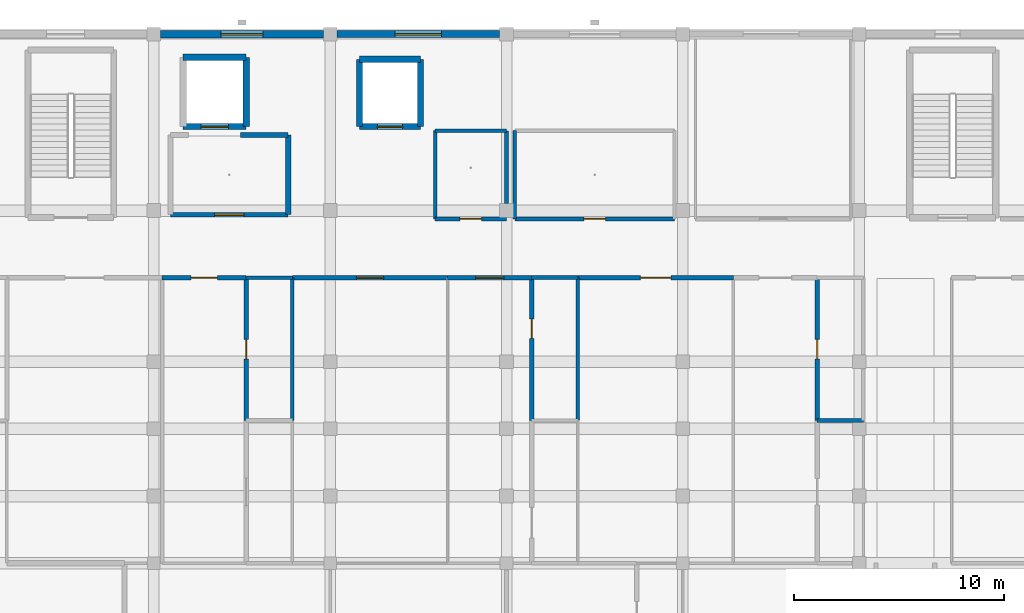
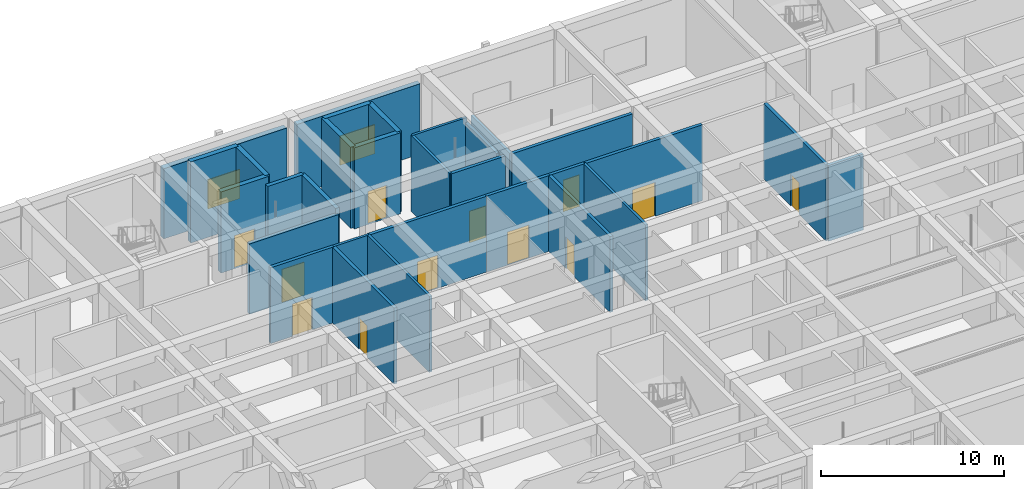
# One storey, part 94 of 157: 30 walls, 12 doors, 2 windows, 14 openings.
"""IFC4 building model written with IfcOpenShell, lengths in metres."""

from ifc_helpers import new_model, si_unit, direction, frame, frame_2d, origin, place, context, subcontext, project, spatial, rectangle, extrude, material, layer, layer_set, type_object, element, fill, save


model = new_model("IFC4")

# Units and contexts
model_context = context("Model", 3, precision=1e-05, world=origin(), true_north=direction((0.0, 1.0)))
body_context = subcontext(model_context, "Body", "Model", "MODEL_VIEW")
ifc_project = project(units=[si_unit("LENGTHUNIT", "METRE"), si_unit("AREAUNIT", "SQUARE_METRE"), si_unit("VOLUMEUNIT", "CUBIC_METRE"), si_unit("PLANEANGLEUNIT", "RADIAN"), si_unit("MASSUNIT", "GRAM", prefix="KILO")], contexts=[model_context])

# Site, building, storey
site_placement = place(None, origin())
site = spatial("IfcSite", under=ifc_project, at=site_placement, CompositionType="ELEMENT")
building_placement = place(site_placement, origin())
building = spatial("IfcBuilding", under=site, at=building_placement, Name="Varncliffe General Hospital", CompositionType="ELEMENT")
storey_placement = place(building_placement, frame((0.0, 0.0, 5.39990234375)))
storey = spatial("IfcBuildingStorey", under=building, at=storey_placement, Name="L01", CompositionType="ELEMENT", Elevation=5.39990234375)

# Wall, opening, window
ifc_material_1 = material(Name="Precast concrete C40/50 with insulated cream lime-cement stucco", Category="concrete")
ifc_layer_1 = layer(ifc_material_1, 0.330078125)
ifc_layer_set_1 = layer_set([ifc_layer_1], Name="Precast concrete C40/50 with insulated cream lime-cement stucco")
wall_type_1 = type_object("IfcWallType", Name="Exterior Insulated Stucco Wall EW33 (330mm)", PredefinedType="SOLIDWALL", material=ifc_layer_set_1)
wall_1_placement = place(storey_placement, frame((134.722900390625, 124.800048828125, 0.0), z_axis=(0.0, 0.0, 1.0), x_axis=(1.0, 0.0, 0.0)))
wall_1 = element("IfcWall", 1, at=wall_1_placement, inside=storey, type_object=wall_type_1, Name="L01 Exterior Stucco Wall EW33-131", PredefinedType="SOLIDWALL", context=body_context, shape_type="SweptSolid", body=[
    extrude(rectangle(XDim=7.754150390625, YDim=0.330078125, at=frame_2d((3.876953125, 0.0))), origin(), (0.0, 0.0, 1.0), 4.68017578125),
])
opening_1_placement = place(wall_1_placement, frame((2.777099609375, 0.0, 0.89990234375)))
opening_1 = element("IfcOpeningElement", 2, at=opening_1_placement, cuts=wall_1, Name="Opening WN35", PredefinedType="OPENING", context=body_context, shape_type="SweptSolid", body=[
    extrude(rectangle(XDim=2.199951171875, YDim=1.949951171875, at=frame_2d((1.10009765625, 0.97509765625))), frame((0.0, 0.175048828125, 0.0), z_axis=(0.0, -1.0, 0.0), x_axis=(1.0, 0.0, 0.0)), (0.0, 0.0, 1.0), 0.35009765625),
])
ifc_material_2 = material(Name="Triple low-E argon insulated vision glazing", Category="glass")
window_type_1 = type_object("IfcWindowType", Name="Triple-Glazed Hospital Window WN35 (2200x1950)", PartitioningType="DOUBLE_PANEL_VERTICAL", PredefinedType="WINDOW", material=ifc_material_2)
window_1_placement = place(opening_1_placement, origin())
window_1 = element("IfcWindow", 3, at=window_1_placement, inside=storey, type_object=window_type_1, Name="L01 Hospital Window WN35-74", OverallHeight=1.949951171875, OverallWidth=2.199951171875, PartitioningType="DOUBLE_PANEL_VERTICAL", PredefinedType="WINDOW", context=body_context, shape_type="SweptSolid", body=[
    extrude(rectangle(XDim=2.199951171875, YDim=1.949951171875, at=frame_2d((1.10009765625, 0.97509765625))), frame((0.0, 0.030029296875, 0.0), z_axis=(0.0, -1.0, 0.0), x_axis=(1.0, 0.0, 0.0)), (0.0, 0.0, 1.0), 0.06005859375),
])
fill(opening_1, window_1)

ifc_layer_2 = layer(ifc_material_1, 0.35009765625)
ifc_layer_set_2 = layer_set([ifc_layer_2], Name="Precast concrete C40/50 with insulated cream lime-cement stucco")
wall_type_2 = type_object("IfcWallType", Name="Exterior Insulated Stucco Wall EW37 (350mm)", PredefinedType="SOLIDWALL", material=ifc_layer_set_2)
wall_2_placement = place(storey_placement, frame((126.322998046875, 124.800048828125, 0.0), z_axis=(0.0, 0.0, 1.0), x_axis=(1.0, 0.0, 0.0)))
wall_2 = element("IfcWall", 4, at=wall_2_placement, inside=storey, type_object=wall_type_2, Name="L01 Exterior Stucco Wall EW37-130", PredefinedType="SOLIDWALL", context=body_context, shape_type="SweptSolid", body=[
    extrude(rectangle(XDim=7.75390625, YDim=0.35009765625, at=frame_2d((3.876953125, 0.0))), origin(), (0.0, 0.0, 1.0), 4.68017578125),
])
opening_2_placement = place(wall_2_placement, frame((2.876953125, 0.0, 0.89990234375)))
opening_2 = element("IfcOpeningElement", 5, at=opening_2_placement, cuts=wall_2, Name="Opening WN79", PredefinedType="OPENING", context=body_context, shape_type="SweptSolid", body=[
    extrude(rectangle(XDim=2.0, YDim=1.949951171875, at=frame_2d((1.0, 0.97509765625))), frame((0.0, 0.18505859375, 0.0), z_axis=(0.0, -1.0, 0.0), x_axis=(1.0, 0.0, 0.0)), (0.0, 0.0, 1.0), 0.3701171875),
])
window_type_2 = type_object("IfcWindowType", Name="Triple-Glazed Hospital Window WN79 (2000x1950)", PartitioningType="DOUBLE_PANEL_VERTICAL", PredefinedType="WINDOW", material=ifc_material_2)
window_2_placement = place(opening_2_placement, origin())
window_2 = element("IfcWindow", 6, at=window_2_placement, inside=storey, type_object=window_type_2, Name="L01 Hospital Window WN79-73", OverallHeight=1.949951171875, OverallWidth=2.0, PartitioningType="DOUBLE_PANEL_VERTICAL", PredefinedType="WINDOW", context=body_context, shape_type="SweptSolid", body=[
    extrude(rectangle(XDim=2.0, YDim=1.949951171875, at=frame_2d((1.0, 0.97509765625))), frame((0.0, 0.030029296875, 0.0), z_axis=(0.0, -1.0, 0.0), x_axis=(1.0, 0.0, 0.0)), (0.0, 0.0, 1.0), 0.06005859375),
])
fill(opening_2, window_2)

# Walls
ifc_material_3 = material(Name="Fire-rated gypsum and mineral-wool partition assembly", Category="gypsum")
ifc_layer_3 = layer(ifc_material_3, 0.25)
ifc_layer_set_3 = layer_set([ifc_layer_3], Name="Fire-rated gypsum and mineral-wool partition assembly")
wall_type_3 = type_object("IfcWallType", Name="Interior Partitioning PW38 (250mm)", PredefinedType="PARTITIONING", material=ifc_layer_set_3)
wall_3_placement = place(storey_placement, frame((130.135986328125, 120.0, 0.0), z_axis=(0.0, 0.0, 1.0), x_axis=(1.0, 0.0, 0.0)))
element("IfcWall", 7, at=wall_3_placement, inside=storey, type_object=wall_type_3, Name="L01 Interior Partition Wall PW38-661", PredefinedType="PARTITIONING", context=body_context, shape_type="SweptSolid", body=[
    extrude(rectangle(XDim=2.263916015625, YDim=0.25, at=frame_2d((1.1318359375, 0.0))), origin(), (0.0, 0.0, 1.0), 5.050048828125),
])
wall_4_placement = place(storey_placement, frame((132.39990234375, 116.199951171875, 0.0), z_axis=(0.0, 0.0, 1.0), x_axis=(0.0, 1.0, 0.0)))
element("IfcWall", 8, at=wall_4_placement, inside=storey, type_object=wall_type_3, Name="L01 Interior Partition Wall PW38-817", PredefinedType="PARTITIONING", context=body_context, shape_type="SweptSolid", body=[
    extrude(rectangle(XDim=3.800048828125, YDim=0.25, at=frame_2d((1.89990234375, 0.0))), origin(), (0.0, 0.0, 1.0), 5.050048828125),
])

# Wall, opening, door
ifc_layer_4 = layer(ifc_material_3, 0.22998046875)
ifc_layer_set_4 = layer_set([ifc_layer_4], Name="Fire-rated gypsum and mineral-wool partition assembly")
wall_type_4 = type_object("IfcWallType", Name="Interior Partitioning PW48 (230mm)", PredefinedType="PARTITIONING", material=ifc_layer_set_4)
wall_5_placement = place(storey_placement, frame((126.800048828125, 116.199951171875, 0.0), z_axis=(0.0, 0.0, 1.0), x_axis=(1.0, 0.0, 0.0)))
wall_5 = element("IfcWall", 9, at=wall_5_placement, inside=storey, type_object=wall_type_4, Name="L01 Interior Partition Wall PW48-656", PredefinedType="PARTITIONING", context=body_context, shape_type="SweptSolid", body=[
    extrude(rectangle(XDim=5.599853515625, YDim=0.22998046875, at=frame_2d((2.7998046875, 0.0))), origin(), (0.0, 0.0, 1.0), 4.68505859375),
])
opening_3_placement = place(wall_5_placement, frame((2.10009765625, 0.0, 0.0)))
opening_3 = element("IfcOpeningElement", 10, at=opening_3_placement, cuts=wall_5, Name="Opening DF81", PredefinedType="OPENING", context=body_context, shape_type="SweptSolid", body=[
    extrude(rectangle(XDim=1.39990234375, YDim=2.199951171875, at=frame_2d((0.699951171875, 1.10009765625))), frame((0.0, 0.125, 0.0), z_axis=(0.0, -1.0, 0.0), x_axis=(1.0, 0.0, 0.0)), (0.0, 0.0, 1.0), 0.25),
])
ifc_material_4 = material(Name="Fire-rated hospital steel-frame vision-panel door", Category="steel")
door_type_1 = type_object("IfcDoorType", Name="Interior Hospital Door DF81 (1400x2200)", OperationType="NOTDEFINED", PredefinedType="DOOR", material=ifc_material_4)
door_1_placement = place(opening_3_placement, origin())
door_1 = element("IfcDoor", 11, at=door_1_placement, inside=storey, type_object=door_type_1, Name="L01 Firefighting Lift Lobby LF03 Door", OperationType="SINGLE_SWING_LEFT", OverallHeight=2.199951171875, OverallWidth=1.39990234375, PredefinedType="DOOR", context=body_context, shape_type="SweptSolid", body=[
    extrude(rectangle(XDim=1.39990234375, YDim=2.199951171875, at=frame_2d((0.699951171875, 1.10009765625))), frame((0.0, 0.02490234375, 0.0), z_axis=(0.0, -1.0, 0.0), x_axis=(1.0, 0.0, 0.0)), (0.0, 0.0, 1.0), 0.050048828125),
])
fill(opening_3, door_1)

ifc_layer_5 = layer(ifc_material_3, 0.199951171875)
ifc_layer_set_5 = layer_set([ifc_layer_5], Name="Fire-rated gypsum and mineral-wool partition assembly")
wall_type_5 = type_object("IfcWallType", Name="Interior Partitioning PW63 (200mm)", PredefinedType="PARTITIONING", material=ifc_layer_set_5)
wall_6_placement = place(storey_placement, frame((126.39990234375, 113.199951171875, 0.0), z_axis=(0.0, 0.0, 1.0), x_axis=(1.0, 0.0, 0.0)))
wall_6 = element("IfcWall", 12, at=wall_6_placement, inside=storey, type_object=wall_type_5, Name="L01 Interior Partition Wall PW63-630", PredefinedType="PARTITIONING", context=body_context, shape_type="SweptSolid", body=[
    extrude(rectangle(XDim=4.0, YDim=0.199951171875, at=frame_2d((2.0, 0.0))), origin(), (0.0, 0.0, 1.0), 5.050048828125),
])
opening_4_placement = place(wall_6_placement, frame((1.375, 0.0, 0.0)))
opening_4 = element("IfcOpeningElement", 13, at=opening_4_placement, cuts=wall_6, Name="Opening DC44", PredefinedType="OPENING", context=body_context, shape_type="SweptSolid", body=[
    extrude(rectangle(XDim=1.25, YDim=2.14990234375, at=frame_2d((0.625, 1.074951171875))), frame((0.0, 0.10986328125, 0.0), z_axis=(0.0, -1.0, 0.0), x_axis=(1.0, 0.0, 0.0)), (0.0, 0.0, 1.0), 0.219970703125),
])
door_type_2 = type_object("IfcDoorType", Name="Interior Hospital Door DC44 (1250x2150)", OperationType="NOTDEFINED", PredefinedType="DOOR", material=ifc_material_4)
door_2_placement = place(opening_4_placement, frame((1.25, 0.0, 0.0), z_axis=(0.0, 0.0, 1.0), x_axis=(-1.0, 0.0, 0.0)))
door_2 = element("IfcDoor", 14, at=door_2_placement, inside=storey, type_object=door_type_2, Name="L01 General Medical Inpatient Room 153 Door", OperationType="SINGLE_SWING_RIGHT", OverallHeight=2.14990234375, OverallWidth=1.25, PredefinedType="DOOR", context=body_context, shape_type="SweptSolid", body=[
    extrude(rectangle(XDim=1.25, YDim=2.14990234375, at=frame_2d((0.625, 1.074951171875))), frame((0.0, 0.02490234375, 0.0), z_axis=(0.0, -1.0, 0.0), x_axis=(1.0, 0.0, 0.0)), (0.0, 0.0, 1.0), 0.050048828125),
])
fill(opening_4, door_2)

wall_7_placement = place(storey_placement, frame((132.60009765625, 113.199951171875, 0.0), z_axis=(0.0, 0.0, 1.0), x_axis=(1.0, 0.0, 0.0)))
wall_7 = element("IfcWall", 15, at=wall_7_placement, inside=storey, type_object=wall_type_5, Name="L01 Interior Partition Wall PW63-632", PredefinedType="PARTITIONING", context=body_context, shape_type="SweptSolid", body=[
    extrude(rectangle(XDim=7.39990234375, YDim=0.199951171875, at=frame_2d((3.699951171875, 0.0))), origin(), (0.0, 0.0, 1.0), 5.050048828125),
])
opening_5_placement = place(wall_7_placement, frame((3.050048828125, 0.0, 0.0)))
opening_5 = element("IfcOpeningElement", 16, at=opening_5_placement, cuts=wall_7, Name="Opening DC88", PredefinedType="OPENING", context=body_context, shape_type="SweptSolid", body=[
    extrude(rectangle(XDim=1.300048828125, YDim=2.199951171875, at=frame_2d((0.64990234375, 1.10009765625))), frame((0.0, 0.10986328125, 0.0), z_axis=(0.0, -1.0, 0.0), x_axis=(1.0, 0.0, 0.0)), (0.0, 0.0, 1.0), 0.219970703125),
])
door_type_3 = type_object("IfcDoorType", Name="Interior Hospital Door DC88 (1300x2200)", OperationType="NOTDEFINED", PredefinedType="DOOR", material=ifc_material_4)
door_3_placement = place(opening_5_placement, frame((1.300048828125, 0.0, 0.0), z_axis=(0.0, 0.0, 1.0), x_axis=(-1.0, 0.0, 0.0)))
door_3 = element("IfcDoor", 17, at=door_3_placement, inside=storey, type_object=door_type_3, Name="L01 Ward Nurse Station and Medication Room 156 Door", OperationType="SINGLE_SWING_LEFT", OverallHeight=2.199951171875, OverallWidth=1.300048828125, PredefinedType="DOOR", context=body_context, shape_type="SweptSolid", body=[
    extrude(rectangle(XDim=1.300048828125, YDim=2.199951171875, at=frame_2d((0.64990234375, 1.10009765625))), frame((0.0, 0.02490234375, 0.0), z_axis=(0.0, -1.0, 0.0), x_axis=(1.0, 0.0, 0.0)), (0.0, 0.0, 1.0), 0.050048828125),
])
fill(opening_5, door_3)

wall_8_placement = place(storey_placement, frame((140.0, 113.199951171875, 0.0), z_axis=(0.0, 0.0, 1.0), x_axis=(1.0, 0.0, 0.0)))
wall_8 = element("IfcWall", 18, at=wall_8_placement, inside=storey, type_object=wall_type_5, Name="L01 Interior Partition Wall PW63-633", PredefinedType="PARTITIONING", context=body_context, shape_type="SweptSolid", body=[
    extrude(rectangle(XDim=4.0, YDim=0.199951171875, at=frame_2d((2.0, 0.0))), origin(), (0.0, 0.0, 1.0), 5.050048828125),
])
opening_6_placement = place(wall_8_placement, frame((1.324951171875, 0.0, 0.0)))
opening_6 = element("IfcOpeningElement", 19, at=opening_6_placement, cuts=wall_8, Name="Opening DC85", PredefinedType="OPENING", context=body_context, shape_type="SweptSolid", body=[
    extrude(rectangle(XDim=1.35009765625, YDim=2.199951171875, at=frame_2d((0.675048828125, 1.10009765625))), frame((0.0, 0.10986328125, 0.0), z_axis=(0.0, -1.0, 0.0), x_axis=(1.0, 0.0, 0.0)), (0.0, 0.0, 1.0), 0.219970703125),
])
door_type_4 = type_object("IfcDoorType", Name="Interior Hospital Door DC85 (1350x2200)", OperationType="NOTDEFINED", PredefinedType="DOOR", material=ifc_material_4)
door_4_placement = place(opening_6_placement, frame((1.35009765625, 0.0, 0.0), z_axis=(0.0, 0.0, 1.0), x_axis=(-1.0, 0.0, 0.0)))
door_4 = element("IfcDoor", 20, at=door_4_placement, inside=storey, type_object=door_type_4, Name="L01 General Medical Inpatient Room 157 Door", OperationType="SINGLE_SWING_RIGHT", OverallHeight=2.199951171875, OverallWidth=1.35009765625, PredefinedType="DOOR", context=body_context, shape_type="SweptSolid", body=[
    extrude(rectangle(XDim=1.35009765625, YDim=2.199951171875, at=frame_2d((0.675048828125, 1.10009765625))), frame((0.0, 0.02490234375, 0.0), z_axis=(0.0, -1.0, 0.0), x_axis=(1.0, 0.0, 0.0)), (0.0, 0.0, 1.0), 0.050048828125),
])
fill(opening_6, door_4)

wall_9_placement = place(storey_placement, frame((146.199951171875, 113.199951171875, 0.0), z_axis=(0.0, 0.0, 1.0), x_axis=(1.0, 0.0, 0.0)))
wall_9 = element("IfcWall", 21, at=wall_9_placement, inside=storey, type_object=wall_type_5, Name="L01 Interior Partition Wall PW63-635", PredefinedType="PARTITIONING", context=body_context, shape_type="SweptSolid", body=[
    extrude(rectangle(XDim=7.400146484375, YDim=0.199951171875, at=frame_2d((3.7001953125, 0.0))), origin(), (0.0, 0.0, 1.0), 5.050048828125),
])
opening_7_placement = place(wall_9_placement, frame((2.97509765625, 0.0, 0.0)))
opening_7 = element("IfcOpeningElement", 22, at=opening_7_placement, cuts=wall_9, Name="Opening DC66", PredefinedType="OPENING", context=body_context, shape_type="SweptSolid", body=[
    extrude(rectangle(XDim=1.449951171875, YDim=2.25, at=frame_2d((0.72509765625, 1.125))), frame((0.0, 0.10986328125, 0.0), z_axis=(0.0, -1.0, 0.0), x_axis=(1.0, 0.0, 0.0)), (0.0, 0.0, 1.0), 0.219970703125),
])
door_type_5 = type_object("IfcDoorType", Name="Interior Hospital Door DC66 (1450x2250)", OperationType="NOTDEFINED", PredefinedType="DOOR", material=ifc_material_4)
door_5_placement = place(opening_7_placement, frame((1.449951171875, 0.0, 0.0), z_axis=(0.0, 0.0, 1.0), x_axis=(-1.0, 0.0, 0.0)))
door_5 = element("IfcDoor", 23, at=door_5_placement, inside=storey, type_object=door_type_5, Name="L01 Ward Nurse Station and Medication Room 160 Door", OperationType="SINGLE_SWING_LEFT", OverallHeight=2.25, OverallWidth=1.449951171875, PredefinedType="DOOR", context=body_context, shape_type="SweptSolid", body=[
    extrude(rectangle(XDim=1.449951171875, YDim=2.25, at=frame_2d((0.72509765625, 1.125))), frame((0.0, 0.02490234375, 0.0), z_axis=(0.0, -1.0, 0.0), x_axis=(1.0, 0.0, 0.0)), (0.0, 0.0, 1.0), 0.050048828125),
])
fill(opening_7, door_5)

wall_10_placement = place(storey_placement, frame((139.39990234375, 116.0, 0.0), z_axis=(0.0, 0.0, 1.0), x_axis=(1.0, 0.0, 0.0)))
wall_10 = element("IfcWall", 24, at=wall_10_placement, inside=storey, type_object=wall_type_5, Name="L01 Interior Partition Wall PW63-650", PredefinedType="PARTITIONING", context=body_context, shape_type="SweptSolid", body=[
    extrude(rectangle(XDim=3.400146484375, YDim=0.199951171875, at=frame_2d((1.7001953125, 0.0))), origin(), (0.0, 0.0, 1.0), 5.050048828125),
])
opening_8_placement = place(wall_10_placement, frame((1.179931640625, 0.0, 0.0)))
opening_8 = element("IfcOpeningElement", 25, at=opening_8_placement, cuts=wall_10, Name="Opening DI77", PredefinedType="OPENING", context=body_context, shape_type="SweptSolid", body=[
    extrude(rectangle(XDim=1.0400390625, YDim=2.10009765625, at=frame_2d((0.52001953125, 1.050048828125))), frame((0.0, 0.10986328125, 0.0), z_axis=(0.0, -1.0, 0.0), x_axis=(1.0, 0.0, 0.0)), (0.0, 0.0, 1.0), 0.219970703125),
])
ifc_material_5 = material(Name="Solid-core antimicrobial hospital oak veneer door", Category="wood")
door_type_6 = type_object("IfcDoorType", Name="Interior Hospital Door DI77 (1040x2100)", OperationType="NOTDEFINED", PredefinedType="DOOR", material=ifc_material_5)
door_6_placement = place(opening_8_placement, origin())
door_6 = element("IfcDoor", 26, at=door_6_placement, inside=storey, type_object=door_type_6, Name="L01 Accessible WC L01-NE Door", OperationType="SINGLE_SWING_LEFT", OverallHeight=2.10009765625, OverallWidth=1.0400390625, PredefinedType="DOOR", context=body_context, shape_type="SweptSolid", body=[
    extrude(rectangle(XDim=1.0400390625, YDim=2.10009765625, at=frame_2d((0.52001953125, 1.050048828125))), frame((0.0, 0.02490234375, 0.0), z_axis=(0.0, -1.0, 0.0), x_axis=(1.0, 0.0, 0.0)), (0.0, 0.0, 1.0), 0.050048828125),
])
fill(opening_8, door_6)

wall_11_placement = place(storey_placement, frame((143.199951171875, 116.0, 0.0), z_axis=(0.0, 0.0, 1.0), x_axis=(1.0, 0.0, 0.0)))
wall_11 = element("IfcWall", 27, at=wall_11_placement, inside=storey, type_object=wall_type_5, Name="L01 Interior Partition Wall PW63-651", PredefinedType="PARTITIONING", context=body_context, shape_type="SweptSolid", body=[
    extrude(rectangle(XDim=7.60009765625, YDim=0.199951171875, at=frame_2d((3.800048828125, 0.0))), origin(), (0.0, 0.0, 1.0), 5.050048828125),
])
opening_9_placement = place(wall_11_placement, frame((3.280029296875, 0.0, 0.0)))
opening_9 = element("IfcOpeningElement", 28, at=opening_9_placement, cuts=wall_11, Name="Opening DI77", PredefinedType="OPENING", context=body_context, shape_type="SweptSolid", body=[
    extrude(rectangle(XDim=1.0400390625, YDim=2.10009765625, at=frame_2d((0.52001953125, 1.050048828125))), frame((0.0, 0.10986328125, 0.0), z_axis=(0.0, -1.0, 0.0), x_axis=(1.0, 0.0, 0.0)), (0.0, 0.0, 1.0), 0.219970703125),
])
door_7_placement = place(opening_9_placement, origin())
door_7 = element("IfcDoor", 29, at=door_7_placement, inside=storey, type_object=door_type_6, Name="L01 Staff and Visitor WC L01-NE Door", OperationType="SINGLE_SWING_RIGHT", OverallHeight=2.10009765625, OverallWidth=1.0400390625, PredefinedType="DOOR", context=body_context, shape_type="SweptSolid", body=[
    extrude(rectangle(XDim=1.0400390625, YDim=2.10009765625, at=frame_2d((0.52001953125, 1.050048828125))), frame((0.0, 0.02490234375, 0.0), z_axis=(0.0, -1.0, 0.0), x_axis=(1.0, 0.0, 0.0)), (0.0, 0.0, 1.0), 0.050048828125),
])
fill(opening_9, door_7)

wall_12_placement = place(storey_placement, frame((130.39990234375, 106.39990234375, 0.0), z_axis=(0.0, 0.0, 1.0), x_axis=(0.0, 1.0, 0.0)))
wall_12 = element("IfcWall", 30, at=wall_12_placement, inside=storey, type_object=wall_type_5, Name="L01 Interior Partition Wall PW63-816", PredefinedType="PARTITIONING", context=body_context, shape_type="SweptSolid", body=[
    extrude(rectangle(XDim=6.800048828125, YDim=0.199951171875, at=frame_2d((3.39990234375, 0.0))), origin(), (0.0, 0.0, 1.0), 5.050048828125),
])
opening_10_placement = place(wall_12_placement, frame((2.93994140625, 0.0, 0.0)))
opening_10 = element("IfcOpeningElement", 31, at=opening_10_placement, cuts=wall_12, Name="Opening DI70", PredefinedType="OPENING", context=body_context, shape_type="SweptSolid", body=[
    extrude(rectangle(XDim=0.919921875, YDim=2.10009765625, at=frame_2d((0.4599609375, 1.050048828125))), frame((0.0, 0.10986328125, 0.0), z_axis=(0.0, -1.0, 0.0), x_axis=(1.0, 0.0, 0.0)), (0.0, 0.0, 1.0), 0.219970703125),
])
door_type_7 = type_object("IfcDoorType", Name="Interior Hospital Door DI70 (920x2100)", OperationType="NOTDEFINED", PredefinedType="DOOR", material=ifc_material_5)
door_8_placement = place(opening_10_placement, frame((0.919921875, 0.0, 0.0), z_axis=(0.0, 0.0, 1.0), x_axis=(-1.0, 0.0, 0.0)))
door_8 = element("IfcDoor", 32, at=door_8_placement, inside=storey, type_object=door_type_7, Name="L01 En-Suite Bathroom 154 Door", OperationType="SINGLE_SWING_LEFT", OverallHeight=2.10009765625, OverallWidth=0.919921875, PredefinedType="DOOR", context=body_context, shape_type="SweptSolid", body=[
    extrude(rectangle(XDim=0.919921875, YDim=2.10009765625, at=frame_2d((0.4599609375, 1.050048828125))), frame((0.0, 0.02490234375, 0.0), z_axis=(0.0, -1.0, 0.0), x_axis=(1.0, 0.0, 0.0)), (0.0, 0.0, 1.0), 0.050048828125),
])
fill(opening_10, door_8)

wall_13_placement = place(storey_placement, frame((144.0, 106.39990234375, 0.0), z_axis=(0.0, 0.0, 1.0), x_axis=(0.0, 1.0, 0.0)))
wall_13 = element("IfcWall", 33, at=wall_13_placement, inside=storey, type_object=wall_type_5, Name="L01 Interior Partition Wall PW63-835", PredefinedType="PARTITIONING", context=body_context, shape_type="SweptSolid", body=[
    extrude(rectangle(XDim=6.800048828125, YDim=0.199951171875, at=frame_2d((3.39990234375, 0.0))), origin(), (0.0, 0.0, 1.0), 5.050048828125),
])
opening_11_placement = place(wall_13_placement, frame((3.912109375, 0.0, 0.0)))
opening_11 = element("IfcOpeningElement", 34, at=opening_11_placement, cuts=wall_13, Name="Opening DI70", PredefinedType="OPENING", context=body_context, shape_type="SweptSolid", body=[
    extrude(rectangle(XDim=0.919921875, YDim=2.10009765625, at=frame_2d((0.4599609375, 1.050048828125))), frame((0.0, 0.10986328125, 0.0), z_axis=(0.0, -1.0, 0.0), x_axis=(1.0, 0.0, 0.0)), (0.0, 0.0, 1.0), 0.219970703125),
])
door_9_placement = place(opening_11_placement, frame((0.919921875, 0.0, 0.0), z_axis=(0.0, 0.0, 1.0), x_axis=(-1.0, 0.0, 0.0)))
door_9 = element("IfcDoor", 35, at=door_9_placement, inside=storey, type_object=door_type_7, Name="L01 En-Suite Bathroom 158 Door", OperationType="SINGLE_SWING_LEFT", OverallHeight=2.10009765625, OverallWidth=0.919921875, PredefinedType="DOOR", context=body_context, shape_type="SweptSolid", body=[
    extrude(rectangle(XDim=0.919921875, YDim=2.10009765625, at=frame_2d((0.4599609375, 1.050048828125))), frame((0.0, 0.02490234375, 0.0), z_axis=(0.0, -1.0, 0.0), x_axis=(1.0, 0.0, 0.0)), (0.0, 0.0, 1.0), 0.050048828125),
])
fill(opening_11, door_9)

wall_14_placement = place(storey_placement, frame((157.60009765625, 106.39990234375, 0.0), z_axis=(0.0, 0.0, 1.0), x_axis=(0.0, 1.0, 0.0)))
wall_14 = element("IfcWall", 36, at=wall_14_placement, inside=storey, type_object=wall_type_5, Name="L01 Interior Partition Wall PW63-855", PredefinedType="PARTITIONING", context=body_context, shape_type="SweptSolid", body=[
    extrude(rectangle(XDim=6.800048828125, YDim=0.199951171875, at=frame_2d((3.39990234375, 0.0))), origin(), (0.0, 0.0, 1.0), 5.050048828125),
])
opening_12_placement = place(wall_14_placement, frame((2.93994140625, 0.0, 0.0)))
opening_12 = element("IfcOpeningElement", 37, at=opening_12_placement, cuts=wall_14, Name="Opening DI70", PredefinedType="OPENING", context=body_context, shape_type="SweptSolid", body=[
    extrude(rectangle(XDim=0.919921875, YDim=2.10009765625, at=frame_2d((0.4599609375, 1.050048828125))), frame((0.0, 0.10986328125, 0.0), z_axis=(0.0, -1.0, 0.0), x_axis=(1.0, 0.0, 0.0)), (0.0, 0.0, 1.0), 0.219970703125),
])
door_10_placement = place(opening_12_placement, frame((0.919921875, 0.0, 0.0), z_axis=(0.0, 0.0, 1.0), x_axis=(-1.0, 0.0, 0.0)))
door_10 = element("IfcDoor", 38, at=door_10_placement, inside=storey, type_object=door_type_7, Name="L01 En-Suite Bathroom 162 Door", OperationType="SINGLE_SWING_LEFT", OverallHeight=2.10009765625, OverallWidth=0.919921875, PredefinedType="DOOR", context=body_context, shape_type="SweptSolid", body=[
    extrude(rectangle(XDim=0.919921875, YDim=2.10009765625, at=frame_2d((0.4599609375, 1.050048828125))), frame((0.0, 0.02490234375, 0.0), z_axis=(0.0, -1.0, 0.0), x_axis=(1.0, 0.0, 0.0)), (0.0, 0.0, 1.0), 0.050048828125),
])
fill(opening_12, door_10)

# Walls
ifc_material_6 = material(Name="Moisture-resistant plumbing chase wall assembly", Category="gypsum")
ifc_layer_6 = layer(ifc_material_6, 0.18994140625)
ifc_layer_set_6 = layer_set([ifc_layer_6], Name="Moisture-resistant plumbing chase wall assembly")
wall_type_6 = type_object("IfcWallType", Name="Interior Plumbingwall MW17 (190mm)", PredefinedType="PLUMBINGWALL", material=ifc_layer_set_6)
for number, where, z_axis, x_axis, name in (
    (39, (157.60009765625, 106.39990234375, 0.0), (0.0, 0.0, 1.0), (1.0, 0.0, 0.0), "L01 Interior Plumbing Wall MW17-612"),
    (40, (144.0, 113.199951171875, 0.0), (0.0, 0.0, 1.0), (1.0, 0.0, 0.0), "L01 Interior Plumbing Wall MW17-634"),
):
    element("IfcWall", number, at=place(storey_placement, frame(where, z_axis=z_axis, x_axis=x_axis)), inside=storey, type_object=wall_type_6, Name=name, PredefinedType="PLUMBINGWALL", context=body_context, shape_type="SweptSolid", body=[
        extrude(rectangle(XDim=2.199951171875, YDim=0.18994140625, at=frame_2d((1.10009765625, 0.0))), origin(), (0.0, 0.0, 1.0), 5.050048828125),
    ])
wall_15_placement = place(storey_placement, frame((142.800048828125, 116.739990234375, 0.0), z_axis=(0.0, 0.0, 1.0), x_axis=(0.0, 1.0, 0.0)))
element("IfcWall", 41, at=wall_15_placement, inside=storey, type_object=wall_type_6, Name="L01 Interior Plumbing Wall MW17-832", PredefinedType="PLUMBINGWALL", context=body_context, shape_type="SweptSolid", body=[
    extrude(rectangle(XDim=3.4599609375, YDim=0.18994140625, at=frame_2d((1.72998046875, 0.0))), origin(), (0.0, 0.0, 1.0), 4.735107421875),
])
ifc_layer_7 = layer(ifc_material_6, 0.159912109375)
ifc_layer_set_7 = layer_set([ifc_layer_7], Name="Moisture-resistant plumbing chase wall assembly")
wall_type_7 = type_object("IfcWallType", Name="Interior Plumbingwall MW31 (160mm)", PredefinedType="PLUMBINGWALL", material=ifc_layer_set_7)
wall_16_placement = place(storey_placement, frame((130.39990234375, 113.199951171875, 0.0), z_axis=(0.0, 0.0, 1.0), x_axis=(1.0, 0.0, 0.0)))
element("IfcWall", 42, at=wall_16_placement, inside=storey, type_object=wall_type_7, Name="L01 Interior Plumbing Wall MW31-631", PredefinedType="PLUMBINGWALL", context=body_context, shape_type="SweptSolid", body=[
    extrude(rectangle(XDim=2.2001953125, YDim=0.159912109375, at=frame_2d((1.10009765625, 0.0))), origin(), (0.0, 0.0, 1.0), 5.050048828125),
])
wall_17_placement = place(storey_placement, frame((139.39990234375, 120.199951171875, 0.0), z_axis=(0.0, 0.0, 1.0), x_axis=(1.0, 0.0, 0.0)))
element("IfcWall", 43, at=wall_17_placement, inside=storey, type_object=wall_type_7, Name="L01 Interior Plumbing Wall MW31-665", PredefinedType="PLUMBINGWALL", context=body_context, shape_type="SweptSolid", body=[
    extrude(rectangle(XDim=3.400146484375, YDim=0.159912109375, at=frame_2d((1.7001953125, 0.0))), origin(), (0.0, 0.0, 1.0), 5.050048828125),
])
wall_18_placement = place(storey_placement, frame((132.60009765625, 106.39990234375, 0.0), z_axis=(0.0, 0.0, 1.0), x_axis=(0.0, 1.0, 0.0)))
element("IfcWall", 44, at=wall_18_placement, inside=storey, type_object=wall_type_7, Name="L01 Interior Plumbing Wall MW31-819", PredefinedType="PLUMBINGWALL", context=body_context, shape_type="SweptSolid", body=[
    extrude(rectangle(XDim=6.800048828125, YDim=0.159912109375, at=frame_2d((3.39990234375, 0.0))), origin(), (0.0, 0.0, 1.0), 5.050048828125),
])
for number, where, z_axis, x_axis, name in (
    (45, (139.39990234375, 116.0, 0.0), (0.0, 0.0, 1.0), (0.0, 1.0, 0.0), "L01 Interior Plumbing Wall MW31-825"),
    (46, (143.199951171875, 116.0, 0.0), (0.0, 0.0, 1.0), (0.0, 1.0, 0.0), "L01 Interior Plumbing Wall MW31-833"),
):
    element("IfcWall", number, at=place(storey_placement, frame(where, z_axis=z_axis, x_axis=x_axis)), inside=storey, type_object=wall_type_7, Name=name, PredefinedType="PLUMBINGWALL", context=body_context, shape_type="SweptSolid", body=[
        extrude(rectangle(XDim=4.199951171875, YDim=0.159912109375, at=frame_2d((2.10009765625, 0.0))), origin(), (0.0, 0.0, 1.0), 5.050048828125),
    ])
wall_19_placement = place(storey_placement, frame((146.199951171875, 106.39990234375, 0.0), z_axis=(0.0, 0.0, 1.0), x_axis=(0.0, 1.0, 0.0)))
element("IfcWall", 47, at=wall_19_placement, inside=storey, type_object=wall_type_7, Name="L01 Interior Plumbing Wall MW31-837", PredefinedType="PLUMBINGWALL", context=body_context, shape_type="SweptSolid", body=[
    extrude(rectangle(XDim=6.800048828125, YDim=0.159912109375, at=frame_2d((3.39990234375, 0.0))), origin(), (0.0, 0.0, 1.0), 5.050048828125),
])

# Wall, opening, door
ifc_material_7 = material(Name="Concrete C40/50 (CSA A23.1 40 MPa)", Category="concrete")
ifc_layer_8 = layer(ifc_material_7, 0.300048828125)
ifc_layer_set_8 = layer_set([ifc_layer_8], Name="Concrete C40/50 (CSA A23.1 40 MPa)")
wall_type_8 = type_object("IfcWallType", Name="Reinforced Concrete Core Shear Wall CW12 (300mm)", PredefinedType="SHEAR", material=ifc_layer_set_8)
wall_20_placement = place(storey_placement, frame((127.39990234375, 120.39990234375, 0.0), z_axis=(0.0, 0.0, 1.0), x_axis=(1.0, 0.0, 0.0)))
wall_20 = element("IfcWall", 48, at=wall_20_placement, inside=storey, type_object=wall_type_8, Name="L01 LF03 Elevator Shaft Wall South", PredefinedType="SHEAR", context=body_context, shape_type="SweptSolid", body=[
    extrude(rectangle(XDim=3.0, YDim=0.300048828125, at=frame_2d((1.5, 0.0))), origin(), (0.0, 0.0, 1.0), 5.400146484375),
])
opening_13_placement = place(wall_20_placement, frame((0.85009765625, 0.0, 0.0)))
opening_13 = element("IfcOpeningElement", 49, at=opening_13_placement, cuts=wall_20, Name="Opening LD02", PredefinedType="OPENING", context=body_context, shape_type="SweptSolid", body=[
    extrude(rectangle(XDim=1.300048828125, YDim=2.199951171875, at=frame_2d((0.64990234375, 1.10009765625))), frame((0.0, 0.16015625, 0.0), z_axis=(0.0, -1.0, 0.0), x_axis=(1.0, 0.0, 0.0)), (0.0, 0.0, 1.0), 0.320068359375),
])
ifc_material_8 = material(Name="Brushed stainless-steel sliding elevator landing door", Category="steel")
door_type_8 = type_object("IfcDoorType", Name="Lift Landing Door LD02 (1300x2200)", OperationType="DOUBLE_DOOR_SLIDING", PredefinedType="DOOR", material=ifc_material_8)
door_11_placement = place(opening_13_placement, origin())
door_11 = element("IfcDoor", 50, at=door_11_placement, inside=storey, type_object=door_type_8, Name="Lift Landing Door LF03 L01", OperationType="DOUBLE_DOOR_SLIDING", OverallHeight=2.199951171875, OverallWidth=1.300048828125, PredefinedType="DOOR", context=body_context, shape_type="SweptSolid", body=[
    extrude(rectangle(XDim=1.300048828125, YDim=2.199951171875, at=frame_2d((0.64990234375, 1.10009765625))), frame((0.0, 0.02490234375, 0.0), z_axis=(0.0, -1.0, 0.0), x_axis=(1.0, 0.0, 0.0)), (0.0, 0.0, 1.0), 0.050048828125),
])
fill(opening_13, door_11)

# Walls
wall_21_placement = place(storey_placement, frame((130.39990234375, 120.39990234375, 0.0), z_axis=(0.0, 0.0, 1.0), x_axis=(0.0, 1.0, 0.0)))
element("IfcWall", 51, at=wall_21_placement, inside=storey, type_object=wall_type_8, Name="L01 LF03 Elevator Shaft Wall East", PredefinedType="SHEAR", context=body_context, shape_type="SweptSolid", body=[
    extrude(rectangle(XDim=3.300048828125, YDim=0.300048828125, at=frame_2d((1.64990234375, 0.0))), origin(), (0.0, 0.0, 1.0), 5.400146484375),
])
wall_22_placement = place(storey_placement, frame((130.39990234375, 123.699951171875, 0.0), z_axis=(0.0, 0.0, 1.0), x_axis=(-1.0, 0.0, 0.0)))
element("IfcWall", 52, at=wall_22_placement, inside=storey, type_object=wall_type_8, Name="L01 LF03 Elevator Shaft Wall North", PredefinedType="SHEAR", context=body_context, shape_type="SweptSolid", body=[
    extrude(rectangle(XDim=3.0, YDim=0.300048828125, at=frame_2d((1.5, 0.0))), origin(), (0.0, 0.0, 1.0), 5.400146484375),
])

# Wall, opening, door
wall_23_placement = place(storey_placement, frame((135.800048828125, 120.39990234375, 0.0), z_axis=(0.0, 0.0, 1.0), x_axis=(1.0, 0.0, 0.0)))
wall_23 = element("IfcWall", 53, at=wall_23_placement, inside=storey, type_object=wall_type_8, Name="L01 LF05 Elevator Shaft Wall South", PredefinedType="SHEAR", context=body_context, shape_type="SweptSolid", body=[
    extrude(rectangle(XDim=2.89990234375, YDim=0.300048828125, at=frame_2d((1.449951171875, 0.0))), origin(), (0.0, 0.0, 1.0), 5.400146484375),
])
opening_14_placement = place(wall_23_placement, frame((0.85009765625, 0.0, 0.0)))
opening_14 = element("IfcOpeningElement", 54, at=opening_14_placement, cuts=wall_23, Name="Opening LD01", PredefinedType="OPENING", context=body_context, shape_type="SweptSolid", body=[
    extrude(rectangle(XDim=1.199951171875, YDim=2.199951171875, at=frame_2d((0.60009765625, 1.10009765625))), frame((0.0, 0.16015625, 0.0), z_axis=(0.0, -1.0, 0.0), x_axis=(1.0, 0.0, 0.0)), (0.0, 0.0, 1.0), 0.320068359375),
])
door_type_9 = type_object("IfcDoorType", Name="Lift Landing Door LD01 (1200x2200)", OperationType="DOUBLE_DOOR_SLIDING", PredefinedType="DOOR", material=ifc_material_8)
door_12_placement = place(opening_14_placement, origin())
door_12 = element("IfcDoor", 55, at=door_12_placement, inside=storey, type_object=door_type_9, Name="Lift Landing Door LF05 L01", OperationType="DOUBLE_DOOR_SLIDING", OverallHeight=2.199951171875, OverallWidth=1.199951171875, PredefinedType="DOOR", context=body_context, shape_type="SweptSolid", body=[
    extrude(rectangle(XDim=1.199951171875, YDim=2.199951171875, at=frame_2d((0.60009765625, 1.10009765625))), frame((0.0, 0.02490234375, 0.0), z_axis=(0.0, -1.0, 0.0), x_axis=(1.0, 0.0, 0.0)), (0.0, 0.0, 1.0), 0.050048828125),
])
fill(opening_14, door_12)

# Walls
wall_24_placement = place(storey_placement, frame((138.699951171875, 120.39990234375, 0.0), z_axis=(0.0, 0.0, 1.0), x_axis=(0.0, 1.0, 0.0)))
element("IfcWall", 56, at=wall_24_placement, inside=storey, type_object=wall_type_8, Name="L01 LF05 Elevator Shaft Wall East", PredefinedType="SHEAR", context=body_context, shape_type="SweptSolid", body=[
    extrude(rectangle(XDim=3.2001953125, YDim=0.300048828125, at=frame_2d((1.60009765625, 0.0))), origin(), (0.0, 0.0, 1.0), 5.400146484375),
])
wall_25_placement = place(storey_placement, frame((138.699951171875, 123.60009765625, 0.0), z_axis=(0.0, 0.0, 1.0), x_axis=(-1.0, 0.0, 0.0)))
element("IfcWall", 57, at=wall_25_placement, inside=storey, type_object=wall_type_8, Name="L01 LF05 Elevator Shaft Wall North", PredefinedType="SHEAR", context=body_context, shape_type="SweptSolid", body=[
    extrude(rectangle(XDim=2.89990234375, YDim=0.300048828125, at=frame_2d((1.449951171875, 0.0))), origin(), (0.0, 0.0, 1.0), 5.400146484375),
])
wall_26_placement = place(storey_placement, frame((135.800048828125, 123.60009765625, 0.0), z_axis=(0.0, 0.0, 1.0), x_axis=(0.0, -1.0, 0.0)))
element("IfcWall", 58, at=wall_26_placement, inside=storey, type_object=wall_type_8, Name="L01 LF05 Elevator Shaft Wall West", PredefinedType="SHEAR", context=body_context, shape_type="SweptSolid", body=[
    extrude(rectangle(XDim=3.2001953125, YDim=0.300048828125, at=frame_2d((1.60009765625, 0.0))), origin(), (0.0, 0.0, 1.0), 5.400146484375),
])

save(model, "model.ifc")
